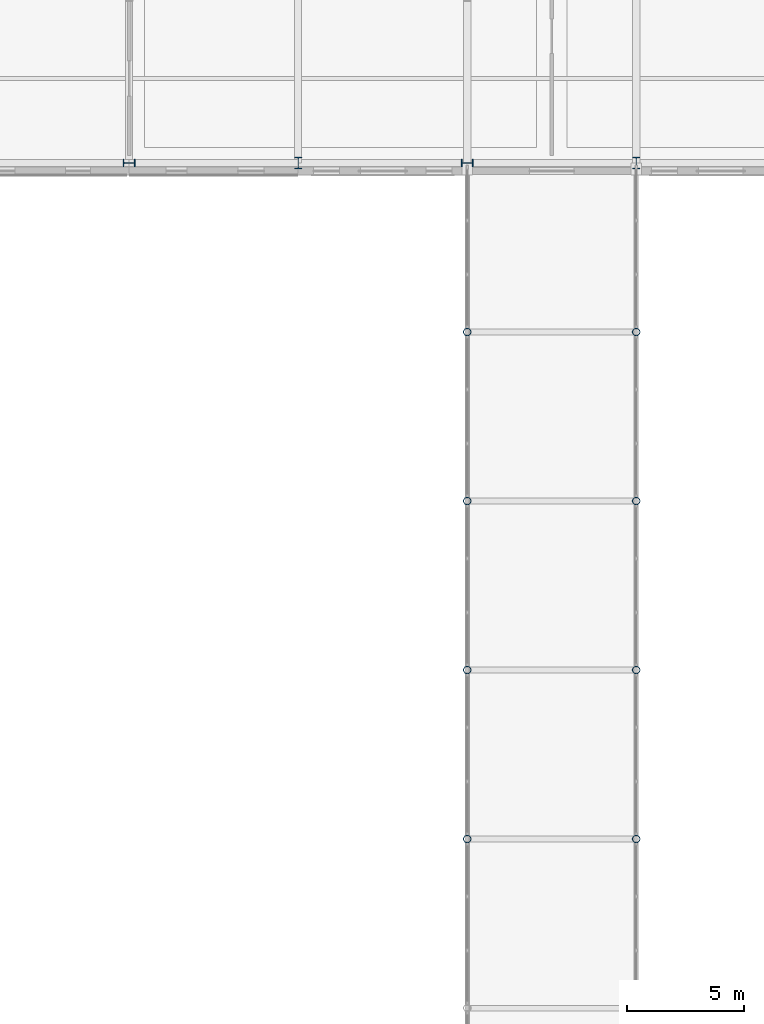
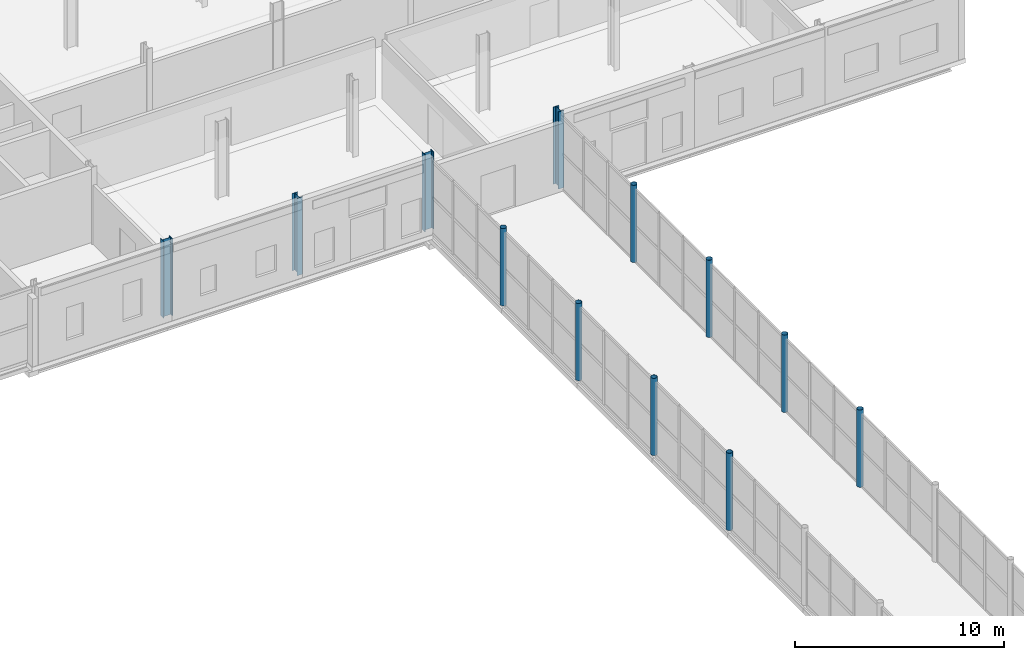
# One storey, part 14 of 92: 12 columns.
"""IFC4 building model written with IfcOpenShell, lengths in metres."""

from ifc_helpers import new_model, si_unit, direction, frame, origin, origin_2d, place, context, subcontext, project, spatial, hollow_circle, i_section, extrude, material, material_profile, profile_set, type_object, element, save


model = new_model("IFC4")

# Units and contexts
model_context = context("Model", 3, precision=1e-05, world=origin(), true_north=direction((0.0, 1.0)))
body_context = subcontext(model_context, "Body", "Model", "MODEL_VIEW")
ifc_project = project(units=[si_unit("LENGTHUNIT", "METRE"), si_unit("AREAUNIT", "SQUARE_METRE"), si_unit("VOLUMEUNIT", "CUBIC_METRE"), si_unit("PLANEANGLEUNIT", "RADIAN"), si_unit("MASSUNIT", "GRAM", prefix="KILO")], contexts=[model_context])

# Site, building, storey
site_placement = place(None, origin())
site = spatial("IfcSite", under=ifc_project, at=site_placement, CompositionType="ELEMENT")
building_placement = place(site_placement, origin())
building = spatial("IfcBuilding", under=site, at=building_placement, Name="Zlatovets Crest Museum", CompositionType="ELEMENT")
storey_placement = place(building_placement, origin())
storey = spatial("IfcBuildingStorey", under=building, at=storey_placement, Name="L00", CompositionType="ELEMENT", Elevation=0.0)

# Columns
ifc_material = material(Name="Structural steel S355J2", Category="steel")
ifc_material_profile_1 = material_profile(ifc_material, i_section(OverallWidth=0.300048828125, OverallDepth=0.5, WebThickness=0.014404296875, FlangeThickness=0.028076171875, FilletRadius=0.027099609375, at=origin_2d()), Name="HEB 500")
ifc_profile_set_1 = profile_set([ifc_material_profile_1], Name="Structural steel S355J2")
column_type_1 = type_object("IfcColumnType", Name="Col_C-05", PredefinedType="COLUMN", material=ifc_profile_set_1)
for number, where, z_axis, x_axis, name in (
    (1, (64.800048828125, 86.39990234375, 0.0), (0.0, 0.0, 1.0), (0.0, 1.0, 0.0), "V1 L00 Column (64.8, 86.4)"),
    (2, (72.0, 86.39990234375, 0.0), (0.0, 0.0, 1.0), (1.0, 0.0, 0.0), "V1 L00 Column (72.0, 86.4)"),
    (3, (79.199951171875, 86.39990234375, 0.0), (0.0, 0.0, 1.0), (0.0, 1.0, 0.0), "V1 L00 Column (79.2, 86.4)"),
    (4, (86.39990234375, 86.39990234375, 0.0), (0.0, 0.0, 1.0), (1.0, 0.0, 0.0), "V1 L00 Column (86.4, 86.4)"),
):
    element("IfcColumn", number, at=place(storey_placement, frame(where, z_axis=z_axis, x_axis=x_axis)), inside=storey, type_object=column_type_1, Name=name, PredefinedType="COLUMN", context=body_context, shape_type="SweptSolid", body=[
        extrude(i_section(OverallWidth=0.300048828125, OverallDepth=0.5, WebThickness=0.014404296875, FlangeThickness=0.028076171875, FilletRadius=0.027099609375, at=origin_2d()), origin(), (0.0, 0.0, 1.0), 4.5),
    ])
ifc_material_profile_2 = material_profile(ifc_material, hollow_circle(Radius=0.161865234375, WallThickness=0.012451171875, at=origin_2d()), Name="CHS 323.9x12.5")
ifc_profile_set_2 = profile_set([ifc_material_profile_2], Name="Structural steel S355J2")
column_type_2 = type_object("IfcColumnType", Name="Col_C-13", PredefinedType="COLUMN", material=ifc_profile_set_2)
for number, where, z_axis, x_axis, name in (
    (5, (79.199951171875, 57.60009765625, 0.0), (0.0, 0.0, 1.0), (1.0, 0.0, 0.0), "Central Sculpture Court Cloister and Skywalk Portal Column"),
    (6, (86.39990234375, 57.60009765625, 0.0), (0.0, 0.0, 1.0), (1.0, 0.0, 0.0), "Central Sculpture Court Cloister and Skywalk Portal Column"),
    (7, (79.199951171875, 64.800048828125, 0.0), (0.0, 0.0, 1.0), (1.0, 0.0, 0.0), "Central Sculpture Court Cloister and Skywalk Portal Column"),
    (8, (86.39990234375, 64.800048828125, 0.0), (0.0, 0.0, 1.0), (1.0, 0.0, 0.0), "Central Sculpture Court Cloister and Skywalk Portal Column"),
    (9, (79.199951171875, 72.0, 0.0), (0.0, 0.0, 1.0), (1.0, 0.0, 0.0), "Central Sculpture Court Cloister and Skywalk Portal Column"),
    (10, (86.39990234375, 72.0, 0.0), (0.0, 0.0, 1.0), (1.0, 0.0, 0.0), "Central Sculpture Court Cloister and Skywalk Portal Column"),
    (11, (79.199951171875, 79.199951171875, 0.0), (0.0, 0.0, 1.0), (1.0, 0.0, 0.0), "Central Sculpture Court Cloister and Skywalk Portal Column"),
    (12, (86.39990234375, 79.199951171875, 0.0), (0.0, 0.0, 1.0), (1.0, 0.0, 0.0), "Central Sculpture Court Cloister and Skywalk Portal Column"),
):
    element("IfcColumn", number, at=place(storey_placement, frame(where, z_axis=z_axis, x_axis=x_axis)), inside=storey, type_object=column_type_2, Name=name, PredefinedType="COLUMN", context=body_context, shape_type="SweptSolid", body=[
        extrude(hollow_circle(Radius=0.161865234375, WallThickness=0.012451171875, at=origin_2d()), origin(), (0.0, 0.0, 1.0), 4.5),
    ])

save(model, "model.ifc")
